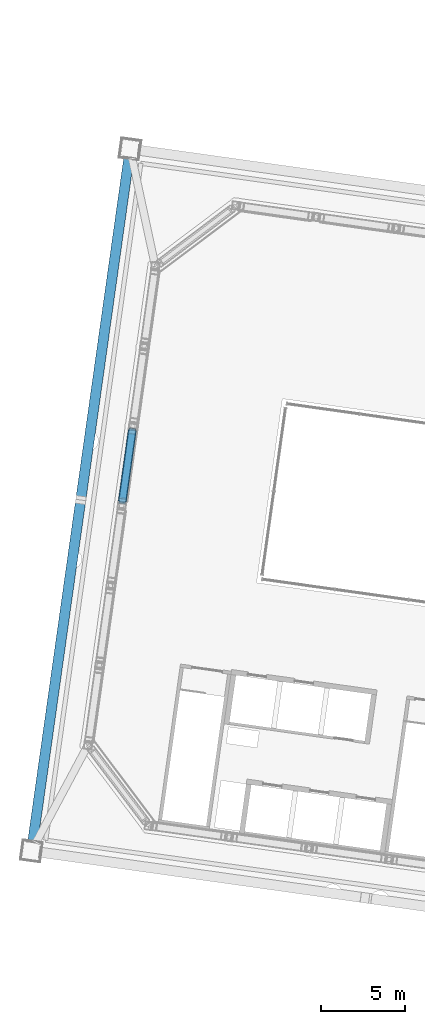
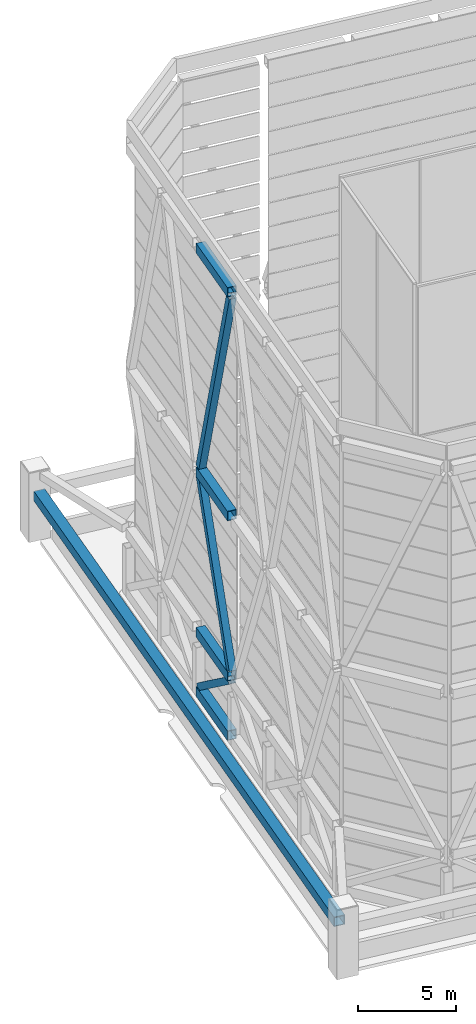
# One storey, part 5 of 45: 4 beams, 4 members.
"""IFC4 building model written with IfcOpenShell, lengths in metres."""

from ifc_helpers import new_model, si_unit, direction, frame, origin, origin_2d, place, context, subcontext, project, spatial, hollow_rectangle, extrude, material, material_profile, profile_set, type_object, element, save


model = new_model("IFC4")

# Units and contexts
model_context = context("Model", 3, precision=1e-05, world=origin(), true_north=direction((0.0, 1.0)))
body_context = subcontext(model_context, "Body", "Model", "MODEL_VIEW")
ifc_project = project(units=[si_unit("LENGTHUNIT", "METRE"), si_unit("AREAUNIT", "SQUARE_METRE"), si_unit("VOLUMEUNIT", "CUBIC_METRE"), si_unit("PLANEANGLEUNIT", "RADIAN"), si_unit("MASSUNIT", "GRAM", prefix="KILO")], contexts=[model_context])

# Site, building, storey
site_placement = place(None, origin())
site = spatial("IfcSite", under=ifc_project, at=site_placement, CompositionType="ELEMENT")
building_placement = place(site_placement, origin())
building = spatial("IfcBuilding", under=site, at=building_placement, Name="Mirante Cascada Hotel Towers", CompositionType="ELEMENT")
storey_placement = place(building_placement, frame((0.0, 0.0, 269.8)))
storey = spatial("IfcBuildingStorey", under=building, at=storey_placement, Name="Roof garden", CompositionType="ELEMENT", Elevation=269.8)

# Beams
ifc_material_1 = material(Name="Steel ASTM A572 Gr 50", Category="steel")
ifc_material_profile_1 = material_profile(ifc_material_1, hollow_rectangle(XDim=0.5, YDim=0.6, WallThickness=0.03, at=origin_2d()), Name="Box beam 600x500x30 ASTM A572 Gr 50")
ifc_profile_set_1 = profile_set([ifc_material_profile_1], Name="Steel ASTM A572 Gr 50")
beam_type = type_object("IfcBeamType", Name="Box beam 600x500x30 ASTM A572 Gr 50", PredefinedType="BEAM", material=ifc_profile_set_1)
for number, where, z_axis, x_axis, name in (
    (1, (-55.6624, 6.1722, 0.3), (-0.1391659, -0.9902691, 0.0), (0.9902691, -0.1391659, 0.0), "CROWN FRAME ring beam T1 19"),
    (2, (-55.6624, 6.1722, 4.0), (-0.1391659, -0.9902691, 0.0), (0.9902691, -0.1391659, 0.0), "CROWN FRAME ring beam T1 49"),
    (3, (-55.6624, 6.1722, 14.0), (-0.1391659, -0.9902691, 0.0), (0.9902691, -0.1391659, 0.0), "CROWN FRAME ring beam T1 79"),
    (4, (-55.6624, 6.1722, 27.95), (-0.1391659, -0.9902691, 0.0), (0.9902691, -0.1391659, 0.0), "CROWN FRAME ring beam T1 109"),
):
    element("IfcBeam", number, at=place(storey_placement, frame(where, z_axis=z_axis, x_axis=x_axis)), inside=storey, type_object=beam_type, Name=name, PredefinedType="BEAM", context=body_context, shape_type="SweptSolid", body=[
        extrude(hollow_rectangle(XDim=0.5, YDim=0.6, WallThickness=0.03, at=origin_2d()), origin(), (0.0, 0.0, 1.0), 4.2712),
    ])

# Members
ifc_material_2 = material(Name="Steel ASTM A572 Gr 50", Category="steel")
ifc_material_profile_2 = material_profile(ifc_material_2, hollow_rectangle(XDim=0.4, YDim=0.4, WallThickness=0.025, at=origin_2d()), Name="Box brace 400x400x25 ASTM A572 Gr 50")
ifc_profile_set_2 = profile_set([ifc_material_profile_2], Name="Steel ASTM A572 Gr 50")
member_type_1 = type_object("IfcMemberType", Name="Box brace 400x400x25 ASTM A572 Gr 50", PredefinedType="BRACE", material=ifc_profile_set_2)
member_1_placement = place(storey_placement, frame((-55.6693, 6.1227, 0.6), z_axis=(-0.111718, -0.7948026, 0.5964964), x_axis=(0.9902654, -0.1391924, 0.0)))
element("IfcMember", 5, at=member_1_placement, inside=storey, type_object=member_type_1, Name="Hat truss diagonal T1 19", PredefinedType="BRACE", context=body_context, shape_type="SweptSolid", body=[
    extrude(hollow_rectangle(XDim=0.4, YDim=0.4, WallThickness=0.025, at=origin_2d()), origin(), (0.0, 0.0, 1.0), 5.197),
])
member_2_placement = place(storey_placement, frame((-56.2499, 1.9921, 4.3), z_axis=(0.0564571, 0.4016563, 0.9140486), x_axis=(-0.9902654, 0.1391924, 0.0)))
element("IfcMember", 6, at=member_2_placement, inside=storey, type_object=member_type_1, Name="CROWN FRAME brace T1 49", PredefinedType="BRACE", context=body_context, shape_type="SweptSolid", body=[
    extrude(hollow_rectangle(XDim=0.4, YDim=0.4, WallThickness=0.025, at=origin_2d()), origin(), (0.0, 0.0, 1.0), 10.2839),
])
member_3_placement = place(storey_placement, frame((-55.6693, 6.1227, 14.3), z_axis=(-0.0415115, -0.2953282, 0.9544936), x_axis=(0.9902654, -0.1391924, 0.0)))
element("IfcMember", 7, at=member_3_placement, inside=storey, type_object=member_type_1, Name="CROWN FRAME brace T1 79", PredefinedType="BRACE", context=body_context, shape_type="SweptSolid", body=[
    extrude(hollow_rectangle(XDim=0.4, YDim=0.4, WallThickness=0.025, at=origin_2d()), origin(), (0.0, 0.0, 1.0), 13.9865),
])
ifc_material_3 = material(Name="Steel ASTM A572 Gr 50", Category="steel")
ifc_material_profile_3 = material_profile(ifc_material_3, hollow_rectangle(XDim=0.6, YDim=0.6, WallThickness=0.04, at=origin_2d()), Name="Box chord 600x600x40 ASTM A572 Gr 50")
ifc_profile_set_3 = profile_set([ifc_material_profile_3], Name="Steel ASTM A572 Gr 50")
member_type_2 = type_object("IfcMemberType", Name="Box chord 600x600x40 ASTM A572 Gr 50", PredefinedType="CHORD", material=ifc_profile_set_3)
member_4_placement = place(storey_placement, frame((-61.5666, -18.2348, 2.8), z_axis=(0.1391719, 0.9902682, 0.0), x_axis=(-0.9902682, 0.1391719, 0.0)))
element("IfcMember", 8, at=member_4_placement, inside=storey, type_object=member_type_2, Name="exochord T1 Roof garden 3", PredefinedType="CHORD", context=body_context, shape_type="SweptSolid", body=[
    extrude(hollow_rectangle(XDim=0.6, YDim=0.6, WallThickness=0.04, at=origin_2d()), origin(), (0.0, 0.0, 1.0), 40.94),
])

save(model, "model.ifc")
